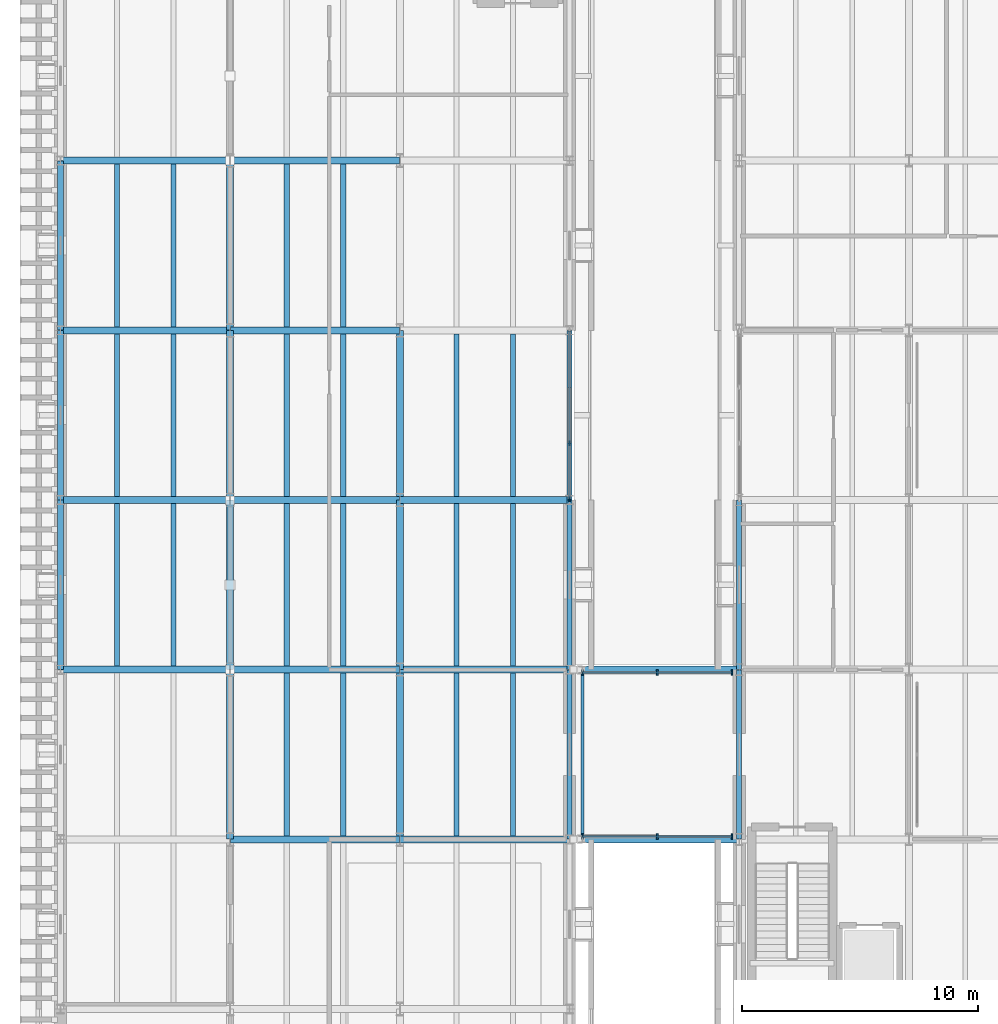
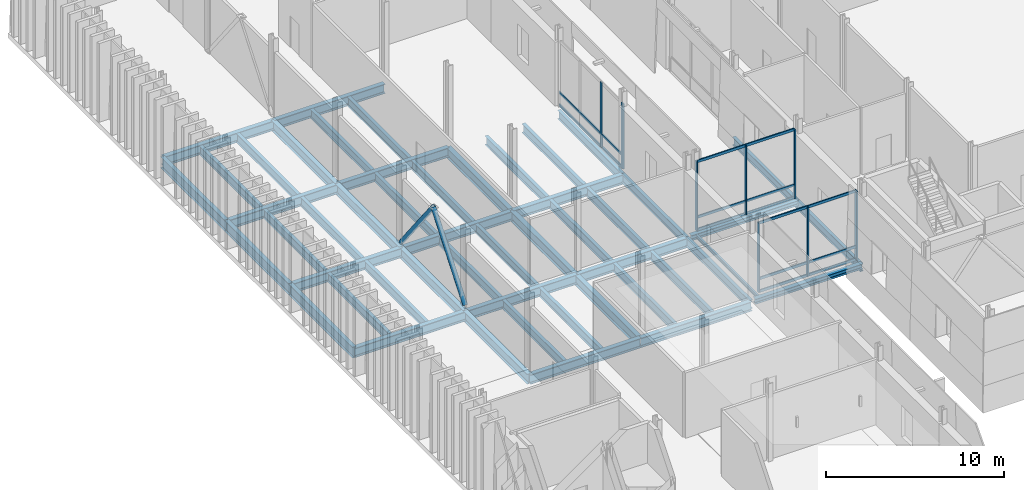
# One storey, part 25 of 120: 50 beams, 18 members, 3 elements without a shape of their own.
"""IFC4 building model written with IfcOpenShell, lengths in metres."""

from ifc_helpers import new_model, si_unit, direction, frame, origin, origin_2d, place, context, subcontext, project, spatial, rectangle, hollow_circle, i_section, extrude, material, layer, layer_set, material_profile, profile_set, type_object, element, aggregate, save


model = new_model("IFC4")

# Units and contexts
model_context = context("Model", 3, precision=1e-05, world=origin(), true_north=direction((0.0, 1.0)))
body_context = subcontext(model_context, "Body", "Model", "MODEL_VIEW")
ifc_project = project(units=[si_unit("LENGTHUNIT", "METRE"), si_unit("AREAUNIT", "SQUARE_METRE"), si_unit("VOLUMEUNIT", "CUBIC_METRE"), si_unit("PLANEANGLEUNIT", "RADIAN"), si_unit("MASSUNIT", "GRAM", prefix="KILO")], contexts=[model_context])

# Site, building, storey
site_placement = place(None, origin())
site = spatial("IfcSite", under=ifc_project, at=site_placement, CompositionType="ELEMENT")
building_placement = place(site_placement, origin())
building = spatial("IfcBuilding", under=site, at=building_placement, Name="Narikvali Park Central Library", CompositionType="ELEMENT")
storey_placement = place(building_placement, origin())
storey = spatial("IfcBuildingStorey", under=building, at=storey_placement, Name="L00", CompositionType="ELEMENT", Elevation=0.0)

# Beams
ifc_material_1 = material(Name="Steel S355", Category="steel")
ifc_material_profile_1 = material_profile(ifc_material_1, i_section(OverallWidth=0.300048828125, OverallDepth=0.35009765625, WebThickness=0.010009765625, FlangeThickness=0.017578125, FilletRadius=0.027099609375, at=origin_2d()), Name="HEA 360")
ifc_profile_set_1 = profile_set([ifc_material_profile_1], Name="Steel S355")
beam_type_1 = type_object("IfcBeamType", Name="Bridge Sliding Girder HEA360", PredefinedType="BEAM", material=ifc_profile_set_1)
for number, where, z_axis, x_axis, name in (
    (1, (21.820068359375, 64.800048828125, -0.425048828125), (1.0, 0.0, 0.0), (0.0, 1.0, 0.0), "BRG-1 L00 Sliding Bridge Girder 1-1"),
    (2, (21.820068359375, 72.0, -0.425048828125), (1.0, 0.0, 0.0), (0.0, 1.0, 0.0), "BRG-1 L00 Sliding Bridge Girder 2-1"),
):
    element("IfcBeam", number, at=place(storey_placement, frame(where, z_axis=z_axis, x_axis=x_axis)), inside=storey, type_object=beam_type_1, Name=name, PredefinedType="BEAM", context=body_context, shape_type="SweptSolid", body=[
        extrude(i_section(OverallWidth=0.300048828125, OverallDepth=0.35009765625, WebThickness=0.010009765625, FlangeThickness=0.017578125, FilletRadius=0.027099609375, at=origin_2d()), origin(), (0.0, 0.0, 1.0), 6.969970703125),
    ])
ifc_material_profile_2 = material_profile(ifc_material_1, i_section(OverallWidth=0.219970703125, OverallDepth=0.60009765625, WebThickness=0.011962890625, FlangeThickness=0.01904296875, FilletRadius=0.02392578125, at=origin_2d()), Name="IPE 600")
ifc_profile_set_2 = profile_set([ifc_material_profile_2], Name="Steel S355")
beam_type_2 = type_object("IfcBeamType", Name="Compact Archive Joist IPE600", PredefinedType="JOIST", material=ifc_profile_set_2)
for number, where, z_axis, x_axis, name in (
    (3, (2.39990234375, 72.14990234375, -0.6201171875), (0.0, 1.0, 0.0), (-1.0, 0.0, 0.0), "V5 L00 Composite Joist 1"),
    (4, (4.800048828125, 72.14990234375, -0.6201171875), (0.0, 1.0, 0.0), (-1.0, 0.0, 0.0), "V5 L00 Composite Joist 2"),
):
    element("IfcBeam", number, at=place(storey_placement, frame(where, z_axis=z_axis, x_axis=x_axis)), inside=storey, type_object=beam_type_2, Name=name, PredefinedType="JOIST", context=body_context, shape_type="SweptSolid", body=[
        extrude(i_section(OverallWidth=0.219970703125, OverallDepth=0.60009765625, WebThickness=0.011962890625, FlangeThickness=0.01904296875, FilletRadius=0.02392578125, at=origin_2d()), origin(), (0.0, 0.0, 1.0), 6.900146484375),
    ])
for number, where, z_axis, x_axis, name in (
    (5, (2.39990234375, 79.35009765625, -0.6201171875), (0.0, 1.0, 0.0), (-1.0, 0.0, 0.0), "V5 L00 Composite Joist 1"),
    (6, (4.800048828125, 79.35009765625, -0.6201171875), (0.0, 1.0, 0.0), (-1.0, 0.0, 0.0), "V5 L00 Composite Joist 2"),
    (7, (2.39990234375, 86.550048828125, -0.6201171875), (0.0, 1.0, 0.0), (-1.0, 0.0, 0.0), "V5 L00 Composite Joist 1"),
    (8, (4.800048828125, 86.550048828125, -0.6201171875), (0.0, 1.0, 0.0), (-1.0, 0.0, 0.0), "V5 L00 Composite Joist 2"),
):
    element("IfcBeam", number, at=place(storey_placement, frame(where, z_axis=z_axis, x_axis=x_axis)), inside=storey, type_object=beam_type_2, Name=name, PredefinedType="JOIST", context=body_context, shape_type="SweptSolid", body=[
        extrude(i_section(OverallWidth=0.219970703125, OverallDepth=0.60009765625, WebThickness=0.011962890625, FlangeThickness=0.01904296875, FilletRadius=0.02392578125, at=origin_2d()), origin(), (0.0, 0.0, 1.0), 6.89990234375),
    ])
for number, where, z_axis, x_axis, name in (
    (9, (9.60009765625, 64.949951171875, -0.6201171875), (0.0, 1.0, 0.0), (-1.0, 0.0, 0.0), "V5 L00 Composite Joist 1"),
    (10, (12.0, 64.949951171875, -0.6201171875), (0.0, 1.0, 0.0), (-1.0, 0.0, 0.0), "V5 L00 Composite Joist 2"),
    (11, (9.60009765625, 72.14990234375, -0.6201171875), (0.0, 1.0, 0.0), (-1.0, 0.0, 0.0), "V5 L00 Composite Joist 1"),
    (12, (12.0, 72.14990234375, -0.6201171875), (0.0, 1.0, 0.0), (-1.0, 0.0, 0.0), "V5 L00 Composite Joist 2"),
):
    element("IfcBeam", number, at=place(storey_placement, frame(where, z_axis=z_axis, x_axis=x_axis)), inside=storey, type_object=beam_type_2, Name=name, PredefinedType="JOIST", context=body_context, shape_type="SweptSolid", body=[
        extrude(i_section(OverallWidth=0.219970703125, OverallDepth=0.60009765625, WebThickness=0.011962890625, FlangeThickness=0.01904296875, FilletRadius=0.02392578125, at=origin_2d()), origin(), (0.0, 0.0, 1.0), 6.900146484375),
    ])
for number, where, z_axis, x_axis, name in (
    (13, (9.60009765625, 79.35009765625, -0.6201171875), (0.0, 1.0, 0.0), (-1.0, 0.0, 0.0), "V5 L00 Composite Joist 1"),
    (14, (12.0, 79.35009765625, -0.6201171875), (0.0, 1.0, 0.0), (-1.0, 0.0, 0.0), "V5 L00 Composite Joist 2"),
    (15, (9.60009765625, 86.550048828125, -0.6201171875), (0.0, 1.0, 0.0), (-1.0, 0.0, 0.0), "V5 L00 Composite Joist 1"),
    (16, (12.0, 86.550048828125, -0.6201171875), (0.0, 1.0, 0.0), (-1.0, 0.0, 0.0), "V5 L00 Composite Joist 2"),
):
    element("IfcBeam", number, at=place(storey_placement, frame(where, z_axis=z_axis, x_axis=x_axis)), inside=storey, type_object=beam_type_2, Name=name, PredefinedType="JOIST", context=body_context, shape_type="SweptSolid", body=[
        extrude(i_section(OverallWidth=0.219970703125, OverallDepth=0.60009765625, WebThickness=0.011962890625, FlangeThickness=0.01904296875, FilletRadius=0.02392578125, at=origin_2d()), origin(), (0.0, 0.0, 1.0), 6.89990234375),
    ])
for number, where, z_axis, x_axis, name in (
    (17, (16.800048828125, 64.949951171875, -0.6201171875), (0.0, 1.0, 0.0), (-1.0, 0.0, 0.0), "V5 L00 Composite Joist 1"),
    (18, (19.199951171875, 64.949951171875, -0.6201171875), (0.0, 1.0, 0.0), (-1.0, 0.0, 0.0), "V5 L00 Composite Joist 2"),
    (19, (16.800048828125, 72.14990234375, -0.6201171875), (0.0, 1.0, 0.0), (-1.0, 0.0, 0.0), "V5 L00 Composite Joist 1"),
    (20, (19.199951171875, 72.14990234375, -0.6201171875), (0.0, 1.0, 0.0), (-1.0, 0.0, 0.0), "V5 L00 Composite Joist 2"),
):
    element("IfcBeam", number, at=place(storey_placement, frame(where, z_axis=z_axis, x_axis=x_axis)), inside=storey, type_object=beam_type_2, Name=name, PredefinedType="JOIST", context=body_context, shape_type="SweptSolid", body=[
        extrude(i_section(OverallWidth=0.219970703125, OverallDepth=0.60009765625, WebThickness=0.011962890625, FlangeThickness=0.01904296875, FilletRadius=0.02392578125, at=origin_2d()), origin(), (0.0, 0.0, 1.0), 6.900146484375),
    ])
for number, where, z_axis, x_axis, name in (
    (21, (16.800048828125, 79.35009765625, -0.6201171875), (0.0, 1.0, 0.0), (-1.0, 0.0, 0.0), "V5 L00 Composite Joist 1"),
    (22, (19.199951171875, 79.35009765625, -0.6201171875), (0.0, 1.0, 0.0), (-1.0, 0.0, 0.0), "V5 L00 Composite Joist 2"),
):
    element("IfcBeam", number, at=place(storey_placement, frame(where, z_axis=z_axis, x_axis=x_axis)), inside=storey, type_object=beam_type_2, Name=name, PredefinedType="JOIST", context=body_context, shape_type="SweptSolid", body=[
        extrude(i_section(OverallWidth=0.219970703125, OverallDepth=0.60009765625, WebThickness=0.011962890625, FlangeThickness=0.01904296875, FilletRadius=0.02392578125, at=origin_2d()), origin(), (0.0, 0.0, 1.0), 6.89990234375),
    ])
ifc_material_profile_3 = material_profile(ifc_material_1, i_section(OverallWidth=0.300048828125, OverallDepth=0.68994140625, WebThickness=0.014404296875, FlangeThickness=0.027099609375, FilletRadius=0.027099609375, at=origin_2d()), Name="HEA 700")
ifc_profile_set_3 = profile_set([ifc_material_profile_3], Name="Steel S355")
beam_type_3 = type_object("IfcBeamType", Name="Compact Vault Girder HEA700", PredefinedType="BEAM", material=ifc_profile_set_3)
for number, where, z_axis, x_axis, name in (
    (23, (7.199951171875, 64.80810546875, -0.6650390625), (0.0, 1.0, 0.0), (-1.0, 0.0, 0.0), "V5 L00 Girder Y"),
    (24, (7.199951171875, 72.008056640625, -0.6650390625), (0.0, 1.0, 0.0), (-1.0, 0.0, 0.0), "V5 L00 Girder Y"),
):
    element("IfcBeam", number, at=place(storey_placement, frame(where, z_axis=z_axis, x_axis=x_axis)), inside=storey, type_object=beam_type_3, Name=name, PredefinedType="BEAM", context=body_context, shape_type="SweptSolid", body=[
        extrude(i_section(OverallWidth=0.300048828125, OverallDepth=0.68994140625, WebThickness=0.014404296875, FlangeThickness=0.027099609375, FilletRadius=0.027099609375, at=origin_2d()), origin(), (0.0, 0.0, 1.0), 7.183837890625),
    ])
for number, where, z_axis, x_axis, name in (
    (25, (7.199951171875, 79.2080078125, -0.6650390625), (0.0, 1.0, 0.0), (-1.0, 0.0, 0.0), "V5 L00 Girder Y"),
    (26, (7.199951171875, 86.407958984375, -0.6650390625), (0.0, 1.0, 0.0), (-1.0, 0.0, 0.0), "V5 L00 Girder Y"),
):
    element("IfcBeam", number, at=place(storey_placement, frame(where, z_axis=z_axis, x_axis=x_axis)), inside=storey, type_object=beam_type_3, Name=name, PredefinedType="BEAM", context=body_context, shape_type="SweptSolid", body=[
        extrude(i_section(OverallWidth=0.300048828125, OverallDepth=0.68994140625, WebThickness=0.014404296875, FlangeThickness=0.027099609375, FilletRadius=0.027099609375, at=origin_2d()), origin(), (0.0, 0.0, 1.0), 7.18408203125),
    ])
for number, where, z_axis, x_axis, name in (
    (27, (14.39990234375, 64.80810546875, -0.6650390625), (0.0, 1.0, 0.0), (-1.0, 0.0, 0.0), "V5 L00 Girder Y"),
    (28, (14.39990234375, 72.008056640625, -0.6650390625), (0.0, 1.0, 0.0), (-1.0, 0.0, 0.0), "V5 L00 Girder Y"),
):
    element("IfcBeam", number, at=place(storey_placement, frame(where, z_axis=z_axis, x_axis=x_axis)), inside=storey, type_object=beam_type_3, Name=name, PredefinedType="BEAM", context=body_context, shape_type="SweptSolid", body=[
        extrude(i_section(OverallWidth=0.300048828125, OverallDepth=0.68994140625, WebThickness=0.014404296875, FlangeThickness=0.027099609375, FilletRadius=0.027099609375, at=origin_2d()), origin(), (0.0, 0.0, 1.0), 7.183837890625),
    ])
beam_1_placement = place(storey_placement, frame((14.39990234375, 79.2080078125, -0.6650390625), z_axis=(0.0, 1.0, 0.0), x_axis=(-1.0, 0.0, 0.0)))
element("IfcBeam", 29, at=beam_1_placement, inside=storey, type_object=beam_type_3, Name="V5 L00 Girder Y", PredefinedType="BEAM", context=body_context, shape_type="SweptSolid", body=[
    extrude(i_section(OverallWidth=0.300048828125, OverallDepth=0.68994140625, WebThickness=0.014404296875, FlangeThickness=0.027099609375, FilletRadius=0.027099609375, at=origin_2d()), origin(), (0.0, 0.0, 1.0), 7.18408203125),
])

# Curtain wall, members
ifc_material_2 = material(Name="Anodised Bronze Aluminium", Category="aluminium")
ifc_layer_1 = layer(ifc_material_2, 0.219970703125, Name="Anodised Bronze Aluminium")
ifc_layer_set_1 = layer_set([ifc_layer_1], Name="Anodised Bronze Aluminium")
curtain_wall_type_1 = type_object("IfcCurtainWallType", Name="Atrium Tall Curtain Wall System", PredefinedType="NOTDEFINED", material=ifc_layer_set_1)
curtain_wall_1_placement = place(storey_placement, origin())
curtain_wall_1 = element("IfcCurtainWall", 30, at=curtain_wall_1_placement, inside=storey, type_object=curtain_wall_type_1, Name="Atrium Tall Curtain Wall System CW-V5-L00-E-08", PredefinedType="NOTDEFINED")
ifc_material_profile_4 = material_profile(ifc_material_2, rectangle(XDim=0.074951171875, YDim=0.219970703125, at=origin_2d()), Name="CW MULLION 75x220")
ifc_profile_set_4 = profile_set([ifc_material_profile_4], Name="Anodised Bronze Aluminium")
member_type_1 = type_object("IfcMemberType", Name="Curtain Wall Heavy Mullion 75x220", PredefinedType="MULLION", material=ifc_profile_set_4)
member_1_placement = place(storey_placement, frame((21.60009765625, 79.238037109375, -0.010009765625), z_axis=(0.0, 0.0, 1.0), x_axis=(1.0, 0.0, 0.0)))
member_1 = element("IfcMember", 31, at=member_1_placement, type_object=member_type_1, Name="CW-V5-L00-E-08 Mullion 00", PredefinedType="MULLION", context=body_context, shape_type="SweptSolid", body=[
    extrude(rectangle(XDim=0.074951171875, YDim=0.219970703125, at=origin_2d()), origin(), (0.0, 0.0, 1.0), 4.489990234375),
])
member_2_placement = place(storey_placement, frame((21.60009765625, 81.61279296875, -0.010009765625), z_axis=(0.0, 0.0, 1.0), x_axis=(1.0, 0.0, 0.0)))
member_2 = element("IfcMember", 32, at=member_2_placement, type_object=member_type_1, Name="CW-V5-L00-E-08 Mullion 01", PredefinedType="MULLION", context=body_context, shape_type="SweptSolid", body=[
    extrude(rectangle(XDim=0.074951171875, YDim=0.219970703125, at=origin_2d()), origin(), (0.0, 0.0, 1.0), 4.489990234375),
])

ifc_layer_2 = layer(ifc_material_2, 0.219970703125, Name="Anodised Bronze Aluminium")
ifc_layer_set_2 = layer_set([ifc_layer_2], Name="Anodised Bronze Aluminium")
curtain_wall_type_2 = type_object("IfcCurtainWallType", Name="Bridge Covered Passage Glazing System", PredefinedType="NOTDEFINED", material=ifc_layer_set_2)
curtain_wall_2_placement = place(storey_placement, origin())
curtain_wall_2 = element("IfcCurtainWall", 33, at=curtain_wall_2_placement, inside=storey, type_object=curtain_wall_type_2, Name="Bridge Covered Passage Glazing System CW-BRG-1-L00-S1", PredefinedType="NOTDEFINED")
member_3_placement = place(storey_placement, frame((22.14990234375, 64.919921875, -0.010009765625), z_axis=(0.0, 0.0, 1.0), x_axis=(1.0, 0.0, 0.0)))
member_3 = element("IfcMember", 34, at=member_3_placement, type_object=member_type_1, Name="CW-BRG-1-L00-S1 Mullion 00", PredefinedType="MULLION", context=body_context, shape_type="SweptSolid", body=[
    extrude(rectangle(XDim=0.074951171875, YDim=0.219970703125, at=origin_2d()), origin(), (0.0, 0.0, 1.0), 4.760009765625),
])
member_4_placement = place(storey_placement, frame((25.324951171875, 64.919921875, -0.010009765625), z_axis=(0.0, 0.0, 1.0), x_axis=(1.0, 0.0, 0.0)))
member_4 = element("IfcMember", 35, at=member_4_placement, type_object=member_type_1, Name="CW-BRG-1-L00-S1 Mullion 01", PredefinedType="MULLION", context=body_context, shape_type="SweptSolid", body=[
    extrude(rectangle(XDim=0.074951171875, YDim=0.219970703125, at=origin_2d()), origin(), (0.0, 0.0, 1.0), 4.760009765625),
])
member_5_placement = place(storey_placement, frame((28.5, 64.919921875, -0.010009765625), z_axis=(0.0, 0.0, 1.0), x_axis=(1.0, 0.0, 0.0)))
member_5 = element("IfcMember", 36, at=member_5_placement, type_object=member_type_1, Name="CW-BRG-1-L00-S1 Mullion 02", PredefinedType="MULLION", context=body_context, shape_type="SweptSolid", body=[
    extrude(rectangle(XDim=0.074951171875, YDim=0.219970703125, at=origin_2d()), origin(), (0.0, 0.0, 1.0), 4.760009765625),
])

curtain_wall_3_placement = place(storey_placement, origin())
curtain_wall_3 = element("IfcCurtainWall", 37, at=curtain_wall_3_placement, inside=storey, type_object=curtain_wall_type_2, Name="Bridge Covered Passage Glazing System CW-BRG-1-L00-N1", PredefinedType="NOTDEFINED")
member_6_placement = place(storey_placement, frame((22.14990234375, 71.8798828125, -0.010009765625), z_axis=(0.0, 0.0, 1.0), x_axis=(1.0, 0.0, 0.0)))
member_6 = element("IfcMember", 38, at=member_6_placement, type_object=member_type_1, Name="CW-BRG-1-L00-N1 Mullion 00", PredefinedType="MULLION", context=body_context, shape_type="SweptSolid", body=[
    extrude(rectangle(XDim=0.074951171875, YDim=0.219970703125, at=origin_2d()), origin(), (0.0, 0.0, 1.0), 4.760009765625),
])
member_7_placement = place(storey_placement, frame((25.324951171875, 71.8798828125, -0.010009765625), z_axis=(0.0, 0.0, 1.0), x_axis=(1.0, 0.0, 0.0)))
member_7 = element("IfcMember", 39, at=member_7_placement, type_object=member_type_1, Name="CW-BRG-1-L00-N1 Mullion 01", PredefinedType="MULLION", context=body_context, shape_type="SweptSolid", body=[
    extrude(rectangle(XDim=0.074951171875, YDim=0.219970703125, at=origin_2d()), origin(), (0.0, 0.0, 1.0), 4.760009765625),
])
member_8_placement = place(storey_placement, frame((28.5, 71.8798828125, -0.010009765625), z_axis=(0.0, 0.0, 1.0), x_axis=(1.0, 0.0, 0.0)))
member_8 = element("IfcMember", 40, at=member_8_placement, type_object=member_type_1, Name="CW-BRG-1-L00-N1 Mullion 02", PredefinedType="MULLION", context=body_context, shape_type="SweptSolid", body=[
    extrude(rectangle(XDim=0.074951171875, YDim=0.219970703125, at=origin_2d()), origin(), (0.0, 0.0, 1.0), 4.760009765625),
])

# Member
ifc_material_profile_5 = material_profile(ifc_material_2, rectangle(XDim=0.074951171875, YDim=0.179931640625, at=origin_2d()), Name="CW TRANSOM 75x180")
ifc_profile_set_5 = profile_set([ifc_material_profile_5], Name="Anodised Bronze Aluminium")
member_type_2 = type_object("IfcMemberType", Name="Curtain Wall Heavy Transom 75x180", PredefinedType="USERDEFINED", material=ifc_profile_set_5)
member_9_placement = place(storey_placement, frame((21.60009765625, 79.238037109375, 0.030029296875), z_axis=(0.0, 1.0, 0.0), x_axis=(-1.0, 0.0, 0.0)))
member_9 = element("IfcMember", 41, at=member_9_placement, type_object=member_type_2, Name="CW-V5-L00-E-08 Transom 00", ObjectType="TRANSOM", PredefinedType="USERDEFINED", context=body_context, shape_type="SweptSolid", body=[
    extrude(rectangle(XDim=0.074951171875, YDim=0.179931640625, at=origin_2d()), origin(), (0.0, 0.0, 1.0), 7.1240234375),
])

member_10_placement = place(storey_placement, frame((21.60009765625, 79.238037109375, 0.89990234375), z_axis=(0.0, 1.0, 0.0), x_axis=(-1.0, 0.0, 0.0)))
member_10 = element("IfcMember", 42, at=member_10_placement, type_object=member_type_2, Name="CW-V5-L00-E-08 Transom 01", ObjectType="TRANSOM", PredefinedType="USERDEFINED", context=body_context, shape_type="SweptSolid", body=[
    extrude(rectangle(XDim=0.074951171875, YDim=0.179931640625, at=origin_2d()), origin(), (0.0, 0.0, 1.0), 7.1240234375),
])

aggregate(curtain_wall_1, [member_1, member_2, member_9, member_10])

member_11_placement = place(storey_placement, frame((22.14990234375, 64.919921875, 0.030029296875), z_axis=(1.0, 0.0, 0.0), x_axis=(0.0, 1.0, 0.0)))
member_11 = element("IfcMember", 43, at=member_11_placement, type_object=member_type_2, Name="CW-BRG-1-L00-S1 Transom 00", ObjectType="TRANSOM", PredefinedType="USERDEFINED", context=body_context, shape_type="SweptSolid", body=[
    extrude(rectangle(XDim=0.074951171875, YDim=0.179931640625, at=origin_2d()), origin(), (0.0, 0.0, 1.0), 6.35009765625),
])

member_12_placement = place(storey_placement, frame((22.14990234375, 64.919921875, 0.89990234375), z_axis=(1.0, 0.0, 0.0), x_axis=(0.0, 1.0, 0.0)))
member_12 = element("IfcMember", 44, at=member_12_placement, type_object=member_type_2, Name="CW-BRG-1-L00-S1 Transom 01", ObjectType="TRANSOM", PredefinedType="USERDEFINED", context=body_context, shape_type="SweptSolid", body=[
    extrude(rectangle(XDim=0.074951171875, YDim=0.179931640625, at=origin_2d()), origin(), (0.0, 0.0, 1.0), 6.35009765625),
])

member_13_placement = place(storey_placement, frame((22.14990234375, 64.919921875, 4.719970703125), z_axis=(1.0, 0.0, 0.0), x_axis=(0.0, 1.0, 0.0)))
member_13 = element("IfcMember", 45, at=member_13_placement, type_object=member_type_2, Name="CW-BRG-1-L00-S1 Transom 02", ObjectType="TRANSOM", PredefinedType="USERDEFINED", context=body_context, shape_type="SweptSolid", body=[
    extrude(rectangle(XDim=0.074951171875, YDim=0.179931640625, at=origin_2d()), origin(), (0.0, 0.0, 1.0), 6.35009765625),
])

aggregate(curtain_wall_2, [member_3, member_4, member_5, member_11, member_12, member_13])

member_14_placement = place(storey_placement, frame((22.14990234375, 71.8798828125, 0.030029296875), z_axis=(1.0, 0.0, 0.0), x_axis=(0.0, 1.0, 0.0)))
member_14 = element("IfcMember", 46, at=member_14_placement, type_object=member_type_2, Name="CW-BRG-1-L00-N1 Transom 00", ObjectType="TRANSOM", PredefinedType="USERDEFINED", context=body_context, shape_type="SweptSolid", body=[
    extrude(rectangle(XDim=0.074951171875, YDim=0.179931640625, at=origin_2d()), origin(), (0.0, 0.0, 1.0), 6.35009765625),
])

member_15_placement = place(storey_placement, frame((22.14990234375, 71.8798828125, 0.89990234375), z_axis=(1.0, 0.0, 0.0), x_axis=(0.0, 1.0, 0.0)))
member_15 = element("IfcMember", 47, at=member_15_placement, type_object=member_type_2, Name="CW-BRG-1-L00-N1 Transom 01", ObjectType="TRANSOM", PredefinedType="USERDEFINED", context=body_context, shape_type="SweptSolid", body=[
    extrude(rectangle(XDim=0.074951171875, YDim=0.179931640625, at=origin_2d()), origin(), (0.0, 0.0, 1.0), 6.35009765625),
])

member_16_placement = place(storey_placement, frame((22.14990234375, 71.8798828125, 4.719970703125), z_axis=(1.0, 0.0, 0.0), x_axis=(0.0, 1.0, 0.0)))
member_16 = element("IfcMember", 48, at=member_16_placement, type_object=member_type_2, Name="CW-BRG-1-L00-N1 Transom 02", ObjectType="TRANSOM", PredefinedType="USERDEFINED", context=body_context, shape_type="SweptSolid", body=[
    extrude(rectangle(XDim=0.074951171875, YDim=0.179931640625, at=origin_2d()), origin(), (0.0, 0.0, 1.0), 6.35009765625),
])

aggregate(curtain_wall_3, [member_6, member_7, member_8, member_14, member_15, member_16])

# Beams
ifc_material_profile_6 = material_profile(ifc_material_1, i_section(OverallWidth=0.300048828125, OverallDepth=0.64990234375, WebThickness=0.01611328125, FlangeThickness=0.031005859375, FilletRadius=0.027099609375, at=origin_2d()), Name="HEB 650")
ifc_profile_set_6 = profile_set([ifc_material_profile_6], Name="Steel S355")
beam_type_4 = type_object("IfcBeamType", Name="Dome Tension Ring Beam HEB650", PredefinedType="BEAM", material=ifc_profile_set_6)
for number, where, z_axis, x_axis, name in (
    (49, (7.2080078125, 64.800048828125, -0.64501953125), (1.0, 0.0, 0.0), (0.0, 1.0, 0.0), "V5 L00 Girder X"),
    (50, (14.407958984375, 64.800048828125, -0.64501953125), (1.0, 0.0, 0.0), (0.0, 1.0, 0.0), "V5 L00 Girder X"),
):
    element("IfcBeam", number, at=place(storey_placement, frame(where, z_axis=z_axis, x_axis=x_axis)), inside=storey, type_object=beam_type_4, Name=name, PredefinedType="BEAM", context=body_context, shape_type="SweptSolid", body=[
        extrude(i_section(OverallWidth=0.300048828125, OverallDepth=0.64990234375, WebThickness=0.01611328125, FlangeThickness=0.031005859375, FilletRadius=0.027099609375, at=origin_2d()), origin(), (0.0, 0.0, 1.0), 7.18408203125),
    ])
beam_2_placement = place(storey_placement, frame((0.008056640625, 72.0, -0.64501953125), z_axis=(1.0, 0.0, 0.0), x_axis=(0.0, 1.0, 0.0)))
element("IfcBeam", 51, at=beam_2_placement, inside=storey, type_object=beam_type_4, Name="V5 L00 Girder X", PredefinedType="BEAM", context=body_context, shape_type="SweptSolid", body=[
    extrude(i_section(OverallWidth=0.300048828125, OverallDepth=0.64990234375, WebThickness=0.01611328125, FlangeThickness=0.031005859375, FilletRadius=0.027099609375, at=origin_2d()), origin(), (0.0, 0.0, 1.0), 7.183837890625),
])
for number, where, z_axis, x_axis, name in (
    (52, (7.2080078125, 72.0, -0.64501953125), (1.0, 0.0, 0.0), (0.0, 1.0, 0.0), "V5 L00 Girder X"),
    (53, (14.407958984375, 72.0, -0.64501953125), (1.0, 0.0, 0.0), (0.0, 1.0, 0.0), "V5 L00 Girder X"),
):
    element("IfcBeam", number, at=place(storey_placement, frame(where, z_axis=z_axis, x_axis=x_axis)), inside=storey, type_object=beam_type_4, Name=name, PredefinedType="BEAM", context=body_context, shape_type="SweptSolid", body=[
        extrude(i_section(OverallWidth=0.300048828125, OverallDepth=0.64990234375, WebThickness=0.01611328125, FlangeThickness=0.031005859375, FilletRadius=0.027099609375, at=origin_2d()), origin(), (0.0, 0.0, 1.0), 7.18408203125),
    ])
beam_3_placement = place(storey_placement, frame((0.008056640625, 79.199951171875, -0.64501953125), z_axis=(1.0, 0.0, 0.0), x_axis=(0.0, 1.0, 0.0)))
element("IfcBeam", 54, at=beam_3_placement, inside=storey, type_object=beam_type_4, Name="V5 L00 Girder X", PredefinedType="BEAM", context=body_context, shape_type="SweptSolid", body=[
    extrude(i_section(OverallWidth=0.300048828125, OverallDepth=0.64990234375, WebThickness=0.01611328125, FlangeThickness=0.031005859375, FilletRadius=0.027099609375, at=origin_2d()), origin(), (0.0, 0.0, 1.0), 7.183837890625),
])
for number, where, z_axis, x_axis, name in (
    (55, (7.2080078125, 79.199951171875, -0.64501953125), (1.0, 0.0, 0.0), (0.0, 1.0, 0.0), "V5 L00 Girder X"),
    (56, (14.407958984375, 79.199951171875, -0.64501953125), (1.0, 0.0, 0.0), (0.0, 1.0, 0.0), "V5 L00 Girder X"),
):
    element("IfcBeam", number, at=place(storey_placement, frame(where, z_axis=z_axis, x_axis=x_axis)), inside=storey, type_object=beam_type_4, Name=name, PredefinedType="BEAM", context=body_context, shape_type="SweptSolid", body=[
        extrude(i_section(OverallWidth=0.300048828125, OverallDepth=0.64990234375, WebThickness=0.01611328125, FlangeThickness=0.031005859375, FilletRadius=0.027099609375, at=origin_2d()), origin(), (0.0, 0.0, 1.0), 7.18408203125),
    ])
beam_4_placement = place(storey_placement, frame((0.008056640625, 86.39990234375, -0.64501953125), z_axis=(1.0, 0.0, 0.0), x_axis=(0.0, 1.0, 0.0)))
element("IfcBeam", 57, at=beam_4_placement, inside=storey, type_object=beam_type_4, Name="V5 L00 Girder X", PredefinedType="BEAM", context=body_context, shape_type="SweptSolid", body=[
    extrude(i_section(OverallWidth=0.300048828125, OverallDepth=0.64990234375, WebThickness=0.01611328125, FlangeThickness=0.031005859375, FilletRadius=0.027099609375, at=origin_2d()), origin(), (0.0, 0.0, 1.0), 7.183837890625),
])
beam_5_placement = place(storey_placement, frame((7.2080078125, 86.39990234375, -0.64501953125), z_axis=(1.0, 0.0, 0.0), x_axis=(0.0, 1.0, 0.0)))
element("IfcBeam", 58, at=beam_5_placement, inside=storey, type_object=beam_type_4, Name="V5 L00 Girder X", PredefinedType="BEAM", context=body_context, shape_type="SweptSolid", body=[
    extrude(i_section(OverallWidth=0.300048828125, OverallDepth=0.64990234375, WebThickness=0.01611328125, FlangeThickness=0.031005859375, FilletRadius=0.027099609375, at=origin_2d()), origin(), (0.0, 0.0, 1.0), 7.18408203125),
])
beam_6_placement = place(storey_placement, frame((0.008056640625, 93.60009765625, -0.64501953125), z_axis=(1.0, 0.0, 0.0), x_axis=(0.0, 1.0, 0.0)))
element("IfcBeam", 59, at=beam_6_placement, inside=storey, type_object=beam_type_4, Name="V5 L00 Girder X", PredefinedType="BEAM", context=body_context, shape_type="SweptSolid", body=[
    extrude(i_section(OverallWidth=0.300048828125, OverallDepth=0.64990234375, WebThickness=0.01611328125, FlangeThickness=0.031005859375, FilletRadius=0.027099609375, at=origin_2d()), origin(), (0.0, 0.0, 1.0), 7.183837890625),
])
beam_7_placement = place(storey_placement, frame((7.2080078125, 93.60009765625, -0.64501953125), z_axis=(1.0, 0.0, 0.0), x_axis=(0.0, 1.0, 0.0)))
element("IfcBeam", 60, at=beam_7_placement, inside=storey, type_object=beam_type_4, Name="V5 L00 Girder X", PredefinedType="BEAM", context=body_context, shape_type="SweptSolid", body=[
    extrude(i_section(OverallWidth=0.300048828125, OverallDepth=0.64990234375, WebThickness=0.01611328125, FlangeThickness=0.031005859375, FilletRadius=0.027099609375, at=origin_2d()), origin(), (0.0, 0.0, 1.0), 7.18408203125),
])
ifc_material_profile_7 = material_profile(ifc_material_1, i_section(OverallWidth=0.264892578125, OverallDepth=0.7529296875, WebThickness=0.01318359375, FlangeThickness=0.01708984375, FilletRadius=0.01708984375, at=origin_2d()), Name="IPE 750x147")
ifc_profile_set_7 = profile_set([ifc_material_profile_7], Name="Steel S355")
beam_type_5 = type_object("IfcBeamType", Name="Fin Facade Spandrel IPE750", PredefinedType="SPANDREL", material=ifc_profile_set_7)
beam_8_placement = place(storey_placement, frame((0.0, 72.008056640625, -0.696533203125), z_axis=(0.0, 1.0, 0.0), x_axis=(-1.0, 0.0, 0.0)))
element("IfcBeam", 61, at=beam_8_placement, inside=storey, type_object=beam_type_5, Name="V5 L00 Girder Y", PredefinedType="SPANDREL", context=body_context, shape_type="SweptSolid", body=[
    extrude(i_section(OverallWidth=0.264892578125, OverallDepth=0.7529296875, WebThickness=0.01318359375, FlangeThickness=0.01708984375, FilletRadius=0.01708984375, at=origin_2d()), origin(), (0.0, 0.0, 1.0), 7.183837890625),
])
for number, where, z_axis, x_axis, name in (
    (62, (0.0, 79.2080078125, -0.696533203125), (0.0, 1.0, 0.0), (-1.0, 0.0, 0.0), "V5 L00 Girder Y"),
    (63, (0.0, 86.407958984375, -0.696533203125), (0.0, 1.0, 0.0), (-1.0, 0.0, 0.0), "V5 L00 Girder Y"),
):
    element("IfcBeam", number, at=place(storey_placement, frame(where, z_axis=z_axis, x_axis=x_axis)), inside=storey, type_object=beam_type_5, Name=name, PredefinedType="SPANDREL", context=body_context, shape_type="SweptSolid", body=[
        extrude(i_section(OverallWidth=0.264892578125, OverallDepth=0.7529296875, WebThickness=0.01318359375, FlangeThickness=0.01708984375, FilletRadius=0.01708984375, at=origin_2d()), origin(), (0.0, 0.0, 1.0), 7.18408203125),
    ])

# Members
ifc_material_profile_8 = material_profile(ifc_material_1, hollow_circle(Radius=0.149169921875, WallThickness=0.01416015625, at=origin_2d()), Name="CHS 298.5x14.2")
ifc_profile_set_8 = profile_set([ifc_material_profile_8], Name="Steel S355")
member_type_3 = type_object("IfcMemberType", Name="Heavy Archive Ground Brace CHS298x14", PredefinedType="BRACE", material=ifc_profile_set_8)
member_17_placement = place(storey_placement, frame((7.199951171875, 72.014892578125, 0.014892578125), z_axis=(0.0, 0.61763764264, 0.786462804203), x_axis=(-1.0, 0.0, 0.0)))
element("IfcMember", 64, at=member_17_placement, inside=storey, type_object=member_type_3, Name="V5 L00 Seismic Chevron Brace A", PredefinedType="BRACE", context=body_context, shape_type="SweptSolid", body=[
    extrude(hollow_circle(Radius=0.149169921875, WallThickness=0.01416015625, at=origin_2d()), origin(), (0.0, 0.0, 1.0), 5.8046875),
])
member_18_placement = place(storey_placement, frame((7.199951171875, 79.18505859375, 0.014892578125), z_axis=(0.0, -0.617611627084, 0.786483234462), x_axis=(1.0, 0.0, 0.0)))
element("IfcMember", 65, at=member_18_placement, inside=storey, type_object=member_type_3, Name="V5 L00 Seismic Chevron Brace B", PredefinedType="BRACE", context=body_context, shape_type="SweptSolid", body=[
    extrude(hollow_circle(Radius=0.149169921875, WallThickness=0.01416015625, at=origin_2d()), origin(), (0.0, 0.0, 1.0), 5.804443359375),
])

# Beams
ifc_material_profile_9 = material_profile(ifc_material_1, i_section(OverallWidth=0.2099609375, OverallDepth=0.550048828125, WebThickness=0.010986328125, FlangeThickness=0.01708984375, FilletRadius=0.02392578125, at=origin_2d()), Name="IPE 550")
ifc_profile_set_9 = profile_set([ifc_material_profile_9], Name="Steel S355")
beam_type_6 = type_object("IfcBeamType", Name="Perimeter Spandrel IPE550", PredefinedType="SPANDREL", material=ifc_profile_set_9)
for number, where, z_axis, x_axis, name in (
    (66, (28.800048828125, 64.80810546875, -0.594970703125), (0.0, 1.0, 0.0), (-1.0, 0.0, 0.0), "V4 L00 Girder Y"),
    (67, (28.800048828125, 72.008056640625, -0.594970703125), (0.0, 1.0, 0.0), (-1.0, 0.0, 0.0), "V4 L00 Girder Y"),
):
    element("IfcBeam", number, at=place(storey_placement, frame(where, z_axis=z_axis, x_axis=x_axis)), inside=storey, type_object=beam_type_6, Name=name, PredefinedType="SPANDREL", context=body_context, shape_type="SweptSolid", body=[
        extrude(i_section(OverallWidth=0.2099609375, OverallDepth=0.550048828125, WebThickness=0.010986328125, FlangeThickness=0.01708984375, FilletRadius=0.02392578125, at=origin_2d()), origin(), (0.0, 0.0, 1.0), 7.183837890625),
    ])
ifc_material_profile_10 = material_profile(ifc_material_1, i_section(OverallWidth=0.219970703125, OverallDepth=0.60009765625, WebThickness=0.011962890625, FlangeThickness=0.01904296875, FilletRadius=0.02392578125, at=origin_2d()), Name="IPE 600")
ifc_profile_set_10 = profile_set([ifc_material_profile_10], Name="Steel S355")
beam_type_7 = type_object("IfcBeamType", Name="Perimeter Spandrel IPE600", PredefinedType="SPANDREL", material=ifc_profile_set_10)
for number, where, z_axis, x_axis, name in (
    (68, (21.60009765625, 64.80810546875, -0.6201171875), (0.0, 1.0, 0.0), (-1.0, 0.0, 0.0), "V5 L00 Girder Y"),
    (69, (21.60009765625, 72.008056640625, -0.6201171875), (0.0, 1.0, 0.0), (-1.0, 0.0, 0.0), "V5 L00 Girder Y"),
):
    element("IfcBeam", number, at=place(storey_placement, frame(where, z_axis=z_axis, x_axis=x_axis)), inside=storey, type_object=beam_type_7, Name=name, PredefinedType="SPANDREL", context=body_context, shape_type="SweptSolid", body=[
        extrude(i_section(OverallWidth=0.219970703125, OverallDepth=0.60009765625, WebThickness=0.011962890625, FlangeThickness=0.01904296875, FilletRadius=0.02392578125, at=origin_2d()), origin(), (0.0, 0.0, 1.0), 7.183837890625),
    ])
beam_9_placement = place(storey_placement, frame((21.60009765625, 79.2080078125, -0.6201171875), z_axis=(0.0, 1.0, 0.0), x_axis=(-1.0, 0.0, 0.0)))
element("IfcBeam", 70, at=beam_9_placement, inside=storey, type_object=beam_type_7, Name="V5 L00 Girder Y", PredefinedType="SPANDREL", context=body_context, shape_type="SweptSolid", body=[
    extrude(i_section(OverallWidth=0.219970703125, OverallDepth=0.60009765625, WebThickness=0.011962890625, FlangeThickness=0.01904296875, FilletRadius=0.02392578125, at=origin_2d()), origin(), (0.0, 0.0, 1.0), 7.18408203125),
])
ifc_material_profile_11 = material_profile(ifc_material_1, i_section(OverallWidth=0.1201171875, OverallDepth=0.239990234375, WebThickness=0.006103515625, FlangeThickness=0.009765625, FilletRadius=0.014892578125, at=origin_2d()), Name="IPE 240")
ifc_profile_set_11 = profile_set([ifc_material_profile_11], Name="Steel S355")
beam_type_8 = type_object("IfcBeamType", Name="Portal Steel Lintel IPE240", PredefinedType="LINTEL", material=ifc_profile_set_11)
beam_10_placement = place(storey_placement, frame((22.14990234375, 64.9599609375, -0.3701171875), z_axis=(0.0, 1.0, 0.0), x_axis=(-1.0, 0.0, 0.0)))
element("IfcBeam", 71, at=beam_10_placement, inside=storey, type_object=beam_type_8, Name="BRG-1 L00 Portal Transverse Lintel", PredefinedType="LINTEL", context=body_context, shape_type="SweptSolid", body=[
    extrude(i_section(OverallWidth=0.1201171875, OverallDepth=0.239990234375, WebThickness=0.006103515625, FlangeThickness=0.009765625, FilletRadius=0.014892578125, at=origin_2d()), origin(), (0.0, 0.0, 1.0), 6.880126953125),
])

save(model, "model.ifc")
